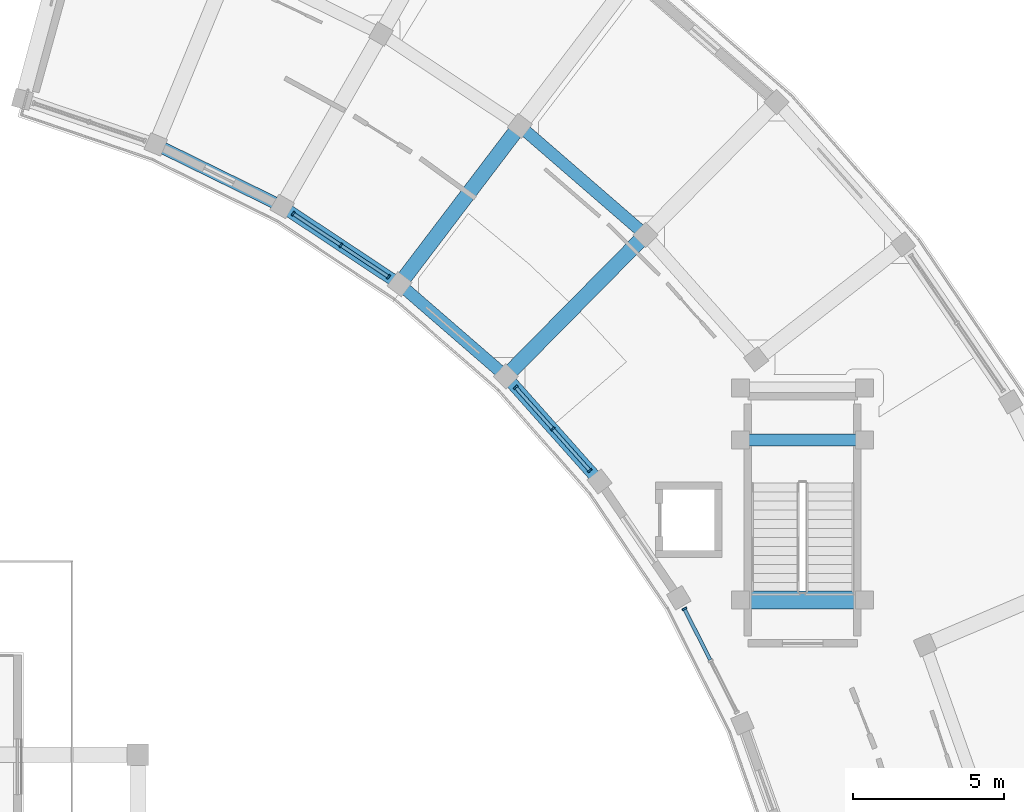
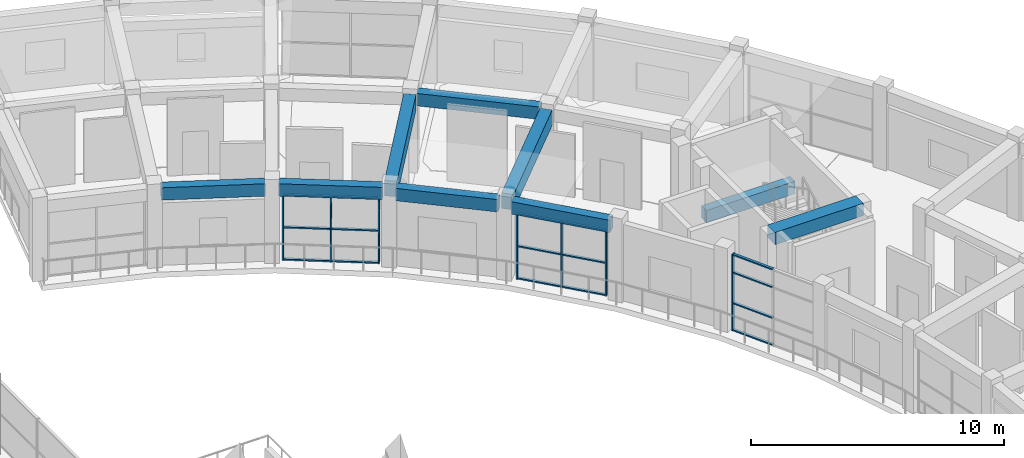
# One storey, part 25 of 53: 23 members, 9 beams, 3 elements without a shape of their own.
"""IFC4 building model written with IfcOpenShell, lengths in metres."""

from ifc_helpers import new_model, si_unit, direction, frame, origin, origin_2d, place, context, subcontext, project, spatial, rectangle, extrude, material, material_profile, profile_set, type_object, element, aggregate, save


model = new_model("IFC4")

# Units and contexts
model_context = context("Model", 3, precision=1e-05, world=origin(), true_north=direction((0.0, 1.0)))
body_context = subcontext(model_context, "Body", "Model", "MODEL_VIEW")
ifc_project = project(units=[si_unit("LENGTHUNIT", "METRE"), si_unit("AREAUNIT", "SQUARE_METRE"), si_unit("VOLUMEUNIT", "CUBIC_METRE"), si_unit("PLANEANGLEUNIT", "RADIAN"), si_unit("MASSUNIT", "GRAM", prefix="KILO")], contexts=[model_context])

# Site, building, storey
site_placement = place(None, origin())
site = spatial("IfcSite", under=ifc_project, at=site_placement, CompositionType="ELEMENT")
building_placement = place(site_placement, origin())
building = spatial("IfcBuilding", under=site, at=building_placement, Name="Saryqyr Civic Hall", CompositionType="ELEMENT")
storey_placement = place(building_placement, frame((0.0, 0.0, 21.300048828125)))
storey = spatial("IfcBuildingStorey", under=building, at=storey_placement, Name="L05", CompositionType="ELEMENT", Elevation=21.300048828125)

# Curtain wall, member
ifc_material_1 = material(Name="Anodised aluminium and triple low-E glass", Category="aluminium")
curtain_wall_type_1 = type_object("IfcCurtainWallType", Name="ENV-CW-STD-48", PredefinedType="NOTDEFINED", material=ifc_material_1)
curtain_wall_1_placement = place(storey_placement, origin())
curtain_wall_1 = element("IfcCurtainWall", 1, at=curtain_wall_1_placement, inside=storey, type_object=curtain_wall_type_1, Name="Curtain wall V6-CWI-L05-03", PredefinedType="NOTDEFINED")
ifc_material_2 = material(Name="Anodised aluminium", Category="aluminium")
ifc_material_profile_1 = material_profile(ifc_material_2, rectangle(XDim=0.06005859375, YDim=0.159912109375, at=origin_2d()), Name="ALU MULLION 60x160")
ifc_profile_set_1 = profile_set([ifc_material_profile_1], Name="Anodised aluminium")
member_type_1 = type_object("IfcMemberType", Name="ENV-CW-MUL-180", PredefinedType="MULLION", material=ifc_profile_set_1)
member_1_placement = place(storey_placement, frame((88.354248046875, 102.044189453125, 0.0), z_axis=(0.0, 0.0, 1.0), x_axis=(-0.451909750219, 0.892063662334, 0.0)))
member_1 = element("IfcMember", 2, at=member_1_placement, type_object=member_type_1, Name="CW-48 mullion 3", PredefinedType="MULLION", context=body_context, shape_type="SweptSolid", body=[
    extrude(rectangle(XDim=0.06005859375, YDim=0.159912109375, at=origin_2d()), origin(), (0.0, 0.0, 1.0), 3.699951171875),
])

# Curtain wall, members
curtain_wall_type_2 = type_object("IfcCurtainWallType", Name="ENV-CW-STD-27", PredefinedType="NOTDEFINED", material=ifc_material_1)
curtain_wall_2_placement = place(storey_placement, origin())
curtain_wall_2 = element("IfcCurtainWall", 3, at=curtain_wall_2_placement, inside=storey, type_object=curtain_wall_type_2, Name="Curtain wall V6-CWI-L05-05", PredefinedType="NOTDEFINED")
member_2_placement = place(storey_placement, frame((85.213134765625, 106.636962890625, 0.0), z_axis=(0.0, 0.0, 1.0), x_axis=(-0.664934070862, 0.7469020561, 0.0)))
member_2 = element("IfcMember", 4, at=member_2_placement, type_object=member_type_1, Name="CW-27 mullion 1", PredefinedType="MULLION", context=body_context, shape_type="SweptSolid", body=[
    extrude(rectangle(XDim=0.06005859375, YDim=0.159912109375, at=origin_2d()), origin(), (0.0, 0.0, 1.0), 3.1650390625),
])
member_3_placement = place(storey_placement, frame((83.981201171875, 108.0205078125, 0.0), z_axis=(0.0, 0.0, 1.0), x_axis=(-0.664934070862, 0.7469020561, 0.0)))
member_3 = element("IfcMember", 5, at=member_3_placement, type_object=member_type_1, Name="CW-27 mullion 2", PredefinedType="MULLION", context=body_context, shape_type="SweptSolid", body=[
    extrude(rectangle(XDim=0.06005859375, YDim=0.159912109375, at=origin_2d()), origin(), (0.0, 0.0, 1.0), 3.1650390625),
])
member_4_placement = place(storey_placement, frame((82.74951171875, 109.404052734375, 0.0), z_axis=(0.0, 0.0, 1.0), x_axis=(-0.664934070862, 0.7469020561, 0.0)))
member_4 = element("IfcMember", 6, at=member_4_placement, type_object=member_type_1, Name="CW-27 mullion 3", PredefinedType="MULLION", context=body_context, shape_type="SweptSolid", body=[
    extrude(rectangle(XDim=0.06005859375, YDim=0.159912109375, at=origin_2d()), origin(), (0.0, 0.0, 1.0), 3.1650390625),
])

curtain_wall_type_3 = type_object("IfcCurtainWallType", Name="ENV-CW-STD-25", PredefinedType="NOTDEFINED", material=ifc_material_1)
curtain_wall_3_placement = place(storey_placement, origin())
curtain_wall_3 = element("IfcCurtainWall", 7, at=curtain_wall_3_placement, inside=storey, type_object=curtain_wall_type_3, Name="Curtain wall V6-CWI-L05-07", PredefinedType="NOTDEFINED")
member_5_placement = place(storey_placement, frame((78.529052734375, 113.0703125, 0.0), z_axis=(0.0, 0.0, 1.0), x_axis=(-0.833756291383, 0.552132634953, 0.0)))
member_5 = element("IfcMember", 8, at=member_5_placement, type_object=member_type_1, Name="CW-25 mullion 1", PredefinedType="MULLION", context=body_context, shape_type="SweptSolid", body=[
    extrude(rectangle(XDim=0.06005859375, YDim=0.159912109375, at=origin_2d()), origin(), (0.0, 0.0, 1.0), 3.1650390625),
])
member_6_placement = place(storey_placement, frame((76.945068359375, 114.119384765625, 0.0), z_axis=(0.0, 0.0, 1.0), x_axis=(-0.833756291383, 0.552132634953, 0.0)))
member_6 = element("IfcMember", 9, at=member_6_placement, type_object=member_type_1, Name="CW-25 mullion 2", PredefinedType="MULLION", context=body_context, shape_type="SweptSolid", body=[
    extrude(rectangle(XDim=0.06005859375, YDim=0.159912109375, at=origin_2d()), origin(), (0.0, 0.0, 1.0), 3.1650390625),
])
member_7_placement = place(storey_placement, frame((75.36083984375, 115.16845703125, 0.0), z_axis=(0.0, 0.0, 1.0), x_axis=(-0.833756291383, 0.552132634953, 0.0)))
member_7 = element("IfcMember", 10, at=member_7_placement, type_object=member_type_1, Name="CW-25 mullion 3", PredefinedType="MULLION", context=body_context, shape_type="SweptSolid", body=[
    extrude(rectangle(XDim=0.06005859375, YDim=0.159912109375, at=origin_2d()), origin(), (0.0, 0.0, 1.0), 3.1650390625),
])

# Member
ifc_material_profile_2 = material_profile(ifc_material_2, rectangle(XDim=0.1201171875, YDim=0.06005859375, at=origin_2d()), Name="ALU TRANSOM 120x60")
ifc_profile_set_2 = profile_set([ifc_material_profile_2], Name="Anodised aluminium")
member_type_2 = type_object("IfcMemberType", Name="ENV-CW-TRN-150", PredefinedType="USERDEFINED", material=ifc_profile_set_2)
member_8_placement = place(storey_placement, frame((89.21142578125, 100.3525390625, 0.030029296875), z_axis=(-0.451916221053, 0.89206038425, 0.0), x_axis=(-0.89206038425, -0.451916221053, 0.0)))
member_8 = element("IfcMember", 11, at=member_8_placement, type_object=member_type_2, Name="CW-48 transom 2.1", ObjectType="TRANSOM", PredefinedType="USERDEFINED", context=body_context, shape_type="SweptSolid", body=[
    extrude(rectangle(XDim=0.1201171875, YDim=0.06005859375, at=origin_2d()), origin(), (0.0, 0.0, 1.0), 1.866455078125),
])

member_9_placement = place(storey_placement, frame((89.21142578125, 100.3525390625, 1.33203125), z_axis=(-0.451916221053, 0.89206038425, 0.0), x_axis=(-0.89206038425, -0.451916221053, 0.0)))
member_9 = element("IfcMember", 12, at=member_9_placement, type_object=member_type_2, Name="CW-48 transom 2.2", ObjectType="TRANSOM", PredefinedType="USERDEFINED", context=body_context, shape_type="SweptSolid", body=[
    extrude(rectangle(XDim=0.1201171875, YDim=0.06005859375, at=origin_2d()), origin(), (0.0, 0.0, 1.0), 1.866455078125),
])

member_10_placement = place(storey_placement, frame((89.21142578125, 100.3525390625, 2.81201171875), z_axis=(-0.451916221053, 0.89206038425, 0.0), x_axis=(-0.89206038425, -0.451916221053, 0.0)))
member_10 = element("IfcMember", 13, at=member_10_placement, type_object=member_type_2, Name="CW-48 transom 2.3", ObjectType="TRANSOM", PredefinedType="USERDEFINED", context=body_context, shape_type="SweptSolid", body=[
    extrude(rectangle(XDim=0.1201171875, YDim=0.06005859375, at=origin_2d()), origin(), (0.0, 0.0, 1.0), 1.866455078125),
])

member_11_placement = place(storey_placement, frame((89.21142578125, 100.3525390625, 3.669921875), z_axis=(-0.451916221053, 0.89206038425, 0.0), x_axis=(-0.89206038425, -0.451916221053, 0.0)))
member_11 = element("IfcMember", 14, at=member_11_placement, type_object=member_type_2, Name="CW-48 transom 2.4", ObjectType="TRANSOM", PredefinedType="USERDEFINED", context=body_context, shape_type="SweptSolid", body=[
    extrude(rectangle(XDim=0.1201171875, YDim=0.06005859375, at=origin_2d()), origin(), (0.0, 0.0, 1.0), 1.866455078125),
])

aggregate(curtain_wall_1, [member_1, member_8, member_9, member_10, member_11])

member_12_placement = place(storey_placement, frame((85.193115234375, 106.659423828125, 0.030029296875), z_axis=(-0.664989244005, 0.746852934223, 0.0), x_axis=(-0.746852934223, -0.664989244005, 0.0)))
member_12 = element("IfcMember", 15, at=member_12_placement, type_object=member_type_2, Name="CW-27 transom 1.1", ObjectType="TRANSOM", PredefinedType="USERDEFINED", context=body_context, shape_type="SweptSolid", body=[
    extrude(rectangle(XDim=0.1201171875, YDim=0.06005859375, at=origin_2d()), origin(), (0.0, 0.0, 1.0), 1.792236328125),
])

member_13_placement = place(storey_placement, frame((85.193115234375, 106.659423828125, 1.5830078125), z_axis=(-0.664989244005, 0.746852934223, 0.0), x_axis=(-0.746852934223, -0.664989244005, 0.0)))
member_13 = element("IfcMember", 16, at=member_13_placement, type_object=member_type_2, Name="CW-27 transom 1.2", ObjectType="TRANSOM", PredefinedType="USERDEFINED", context=body_context, shape_type="SweptSolid", body=[
    extrude(rectangle(XDim=0.1201171875, YDim=0.06005859375, at=origin_2d()), origin(), (0.0, 0.0, 1.0), 1.792236328125),
])

member_14_placement = place(storey_placement, frame((85.193115234375, 106.659423828125, 3.135009765625), z_axis=(-0.664989244005, 0.746852934223, 0.0), x_axis=(-0.746852934223, -0.664989244005, 0.0)))
member_14 = element("IfcMember", 17, at=member_14_placement, type_object=member_type_2, Name="CW-27 transom 1.3", ObjectType="TRANSOM", PredefinedType="USERDEFINED", context=body_context, shape_type="SweptSolid", body=[
    extrude(rectangle(XDim=0.1201171875, YDim=0.06005859375, at=origin_2d()), origin(), (0.0, 0.0, 1.0), 1.792236328125),
])

member_15_placement = place(storey_placement, frame((83.96142578125, 108.04296875, 0.030029296875), z_axis=(-0.664989244005, 0.746852934223, 0.0), x_axis=(-0.746852934223, -0.664989244005, 0.0)))
member_15 = element("IfcMember", 18, at=member_15_placement, type_object=member_type_2, Name="CW-27 transom 2.1", ObjectType="TRANSOM", PredefinedType="USERDEFINED", context=body_context, shape_type="SweptSolid", body=[
    extrude(rectangle(XDim=0.1201171875, YDim=0.06005859375, at=origin_2d()), origin(), (0.0, 0.0, 1.0), 1.792236328125),
])

member_16_placement = place(storey_placement, frame((83.96142578125, 108.04296875, 1.5830078125), z_axis=(-0.664989244005, 0.746852934223, 0.0), x_axis=(-0.746852934223, -0.664989244005, 0.0)))
member_16 = element("IfcMember", 19, at=member_16_placement, type_object=member_type_2, Name="CW-27 transom 2.2", ObjectType="TRANSOM", PredefinedType="USERDEFINED", context=body_context, shape_type="SweptSolid", body=[
    extrude(rectangle(XDim=0.1201171875, YDim=0.06005859375, at=origin_2d()), origin(), (0.0, 0.0, 1.0), 1.792236328125),
])

member_17_placement = place(storey_placement, frame((83.96142578125, 108.04296875, 3.135009765625), z_axis=(-0.664989244005, 0.746852934223, 0.0), x_axis=(-0.746852934223, -0.664989244005, 0.0)))
member_17 = element("IfcMember", 20, at=member_17_placement, type_object=member_type_2, Name="CW-27 transom 2.3", ObjectType="TRANSOM", PredefinedType="USERDEFINED", context=body_context, shape_type="SweptSolid", body=[
    extrude(rectangle(XDim=0.1201171875, YDim=0.06005859375, at=origin_2d()), origin(), (0.0, 0.0, 1.0), 1.792236328125),
])

aggregate(curtain_wall_2, [member_2, member_3, member_4, member_12, member_13, member_14, member_15, member_16, member_17])

member_18_placement = place(storey_placement, frame((78.50390625, 113.0869140625, 0.030029296875), z_axis=(-0.833740862304, 0.552155933161, 0.0), x_axis=(-0.552155933161, -0.833740862304, 0.0)))
member_18 = element("IfcMember", 21, at=member_18_placement, type_object=member_type_2, Name="CW-25 transom 1.1", ObjectType="TRANSOM", PredefinedType="USERDEFINED", context=body_context, shape_type="SweptSolid", body=[
    extrude(rectangle(XDim=0.1201171875, YDim=0.06005859375, at=origin_2d()), origin(), (0.0, 0.0, 1.0), 1.83984375),
])

member_19_placement = place(storey_placement, frame((78.50390625, 113.0869140625, 1.5830078125), z_axis=(-0.833740862304, 0.552155933161, 0.0), x_axis=(-0.552155933161, -0.833740862304, 0.0)))
member_19 = element("IfcMember", 22, at=member_19_placement, type_object=member_type_2, Name="CW-25 transom 1.2", ObjectType="TRANSOM", PredefinedType="USERDEFINED", context=body_context, shape_type="SweptSolid", body=[
    extrude(rectangle(XDim=0.1201171875, YDim=0.06005859375, at=origin_2d()), origin(), (0.0, 0.0, 1.0), 1.83984375),
])

member_20_placement = place(storey_placement, frame((78.50390625, 113.0869140625, 3.135009765625), z_axis=(-0.833740862304, 0.552155933161, 0.0), x_axis=(-0.552155933161, -0.833740862304, 0.0)))
member_20 = element("IfcMember", 23, at=member_20_placement, type_object=member_type_2, Name="CW-25 transom 1.3", ObjectType="TRANSOM", PredefinedType="USERDEFINED", context=body_context, shape_type="SweptSolid", body=[
    extrude(rectangle(XDim=0.1201171875, YDim=0.06005859375, at=origin_2d()), origin(), (0.0, 0.0, 1.0), 1.83984375),
])

member_21_placement = place(storey_placement, frame((76.919921875, 114.135986328125, 0.030029296875), z_axis=(-0.833740862304, 0.552155933161, 0.0), x_axis=(-0.552155933161, -0.833740862304, 0.0)))
member_21 = element("IfcMember", 24, at=member_21_placement, type_object=member_type_2, Name="CW-25 transom 2.1", ObjectType="TRANSOM", PredefinedType="USERDEFINED", context=body_context, shape_type="SweptSolid", body=[
    extrude(rectangle(XDim=0.1201171875, YDim=0.06005859375, at=origin_2d()), origin(), (0.0, 0.0, 1.0), 1.83984375),
])

member_22_placement = place(storey_placement, frame((76.919921875, 114.135986328125, 1.5830078125), z_axis=(-0.833740862304, 0.552155933161, 0.0), x_axis=(-0.552155933161, -0.833740862304, 0.0)))
member_22 = element("IfcMember", 25, at=member_22_placement, type_object=member_type_2, Name="CW-25 transom 2.2", ObjectType="TRANSOM", PredefinedType="USERDEFINED", context=body_context, shape_type="SweptSolid", body=[
    extrude(rectangle(XDim=0.1201171875, YDim=0.06005859375, at=origin_2d()), origin(), (0.0, 0.0, 1.0), 1.83984375),
])

member_23_placement = place(storey_placement, frame((76.919921875, 114.135986328125, 3.135009765625), z_axis=(-0.833740862304, 0.552155933161, 0.0), x_axis=(-0.552155933161, -0.833740862304, 0.0)))
member_23 = element("IfcMember", 26, at=member_23_placement, type_object=member_type_2, Name="CW-25 transom 2.3", ObjectType="TRANSOM", PredefinedType="USERDEFINED", context=body_context, shape_type="SweptSolid", body=[
    extrude(rectangle(XDim=0.1201171875, YDim=0.06005859375, at=origin_2d()), origin(), (0.0, 0.0, 1.0), 1.83984375),
])

aggregate(curtain_wall_3, [member_5, member_6, member_7, member_18, member_19, member_20, member_21, member_22, member_23])

# Beams
ifc_material_3 = material(Name="Concrete C35/45", Category="concrete")
ifc_material_profile_3 = material_profile(ifc_material_3, rectangle(XDim=0.39990234375, YDim=0.60009765625, at=origin_2d()), Name="RC 400x600")
ifc_profile_set_3 = profile_set([ifc_material_profile_3], Name="Concrete C35/45")
beam_type_1 = type_object("IfcBeamType", Name="STR-BM-RC400x600", PredefinedType="BEAM", material=ifc_profile_set_3)
beam_1_placement = place(storey_placement, frame((86.85498046875, 114.644287109375, 3.489990234375), z_axis=(-0.755658334576, 0.654966015443, 0.0), x_axis=(-0.654966015443, -0.755658334576, 0.0)))
element("IfcBeam", 27, at=beam_1_placement, inside=storey, type_object=beam_type_1, Name="Beam V6-CBM-MID06-L05", PredefinedType="BEAM", context=body_context, shape_type="SweptSolid", body=[
    extrude(rectangle(XDim=0.39990234375, YDim=0.60009765625, at=origin_2d()), origin(), (0.0, 0.0, 1.0), 4.977783203125),
])
beam_2_placement = place(storey_placement, frame((94.300048828125, 107.64990234375, 1.52490234375), z_axis=(-1.0, 0.0, 0.0), x_axis=(0.0, -1.0, 0.0)))
element("IfcBeam", 28, at=beam_2_placement, inside=storey, type_object=beam_type_1, Name="Stair half-landing support beam ST-6-LND1-L05", PredefinedType="BEAM", context=body_context, shape_type="SweptSolid", body=[
    extrude(rectangle(XDim=0.39990234375, YDim=0.60009765625, at=origin_2d()), origin(), (0.0, 0.0, 1.0), 4.0400390625),
])
ifc_material_profile_4 = material_profile(ifc_material_3, rectangle(XDim=0.39990234375, YDim=0.60009765625, at=origin_2d()), Name="RC 400x600")
ifc_profile_set_4 = profile_set([ifc_material_profile_4], Name="Concrete C35/45")
beam_type_2 = type_object("IfcBeamType", Name="STR-BM-RC400x600-EXT", PredefinedType="BEAM", material=ifc_profile_set_4)
beam_3_placement = place(storey_placement, frame((85.352783203125, 106.47998046875, 3.489990234375), z_axis=(-0.664933037621, 0.746902975948, 0.0), x_axis=(-0.746902975948, -0.664933037621, 0.0)))
element("IfcBeam", 29, at=beam_3_placement, inside=storey, type_object=beam_type_2, Name="Beam V6-CBM-IN05-L05", PredefinedType="BEAM", context=body_context, shape_type="SweptSolid", body=[
    extrude(rectangle(XDim=0.39990234375, YDim=0.60009765625, at=origin_2d()), origin(), (0.0, 0.0, 1.0), 4.125),
])
beam_4_placement = place(storey_placement, frame((82.218994140625, 109.946533203125, 3.489990234375), z_axis=(-0.755618782617, 0.655011645207, 0.0), x_axis=(-0.655011645207, -0.755618782617, 0.0)))
element("IfcBeam", 30, at=beam_4_placement, inside=storey, type_object=beam_type_2, Name="Beam V6-CBM-IN06-L05", PredefinedType="BEAM", context=body_context, shape_type="SweptSolid", body=[
    extrude(rectangle(XDim=0.39990234375, YDim=0.60009765625, at=origin_2d()), origin(), (0.0, 0.0, 1.0), 4.125244140625),
])
beam_5_placement = place(storey_placement, frame((78.664794921875, 112.98046875, 3.489990234375), z_axis=(-0.833757941264, 0.552130143516, 0.0), x_axis=(-0.552130143516, -0.833757941264, 0.0)))
element("IfcBeam", 31, at=beam_5_placement, inside=storey, type_object=beam_type_2, Name="Beam V6-CBM-IN07-L05", PredefinedType="BEAM", context=body_context, shape_type="SweptSolid", body=[
    extrude(rectangle(XDim=0.39990234375, YDim=0.60009765625, at=origin_2d()), origin(), (0.0, 0.0, 1.0), 4.12548828125),
])
beam_6_placement = place(storey_placement, frame((74.7490234375, 115.531005859375, 3.489990234375), z_axis=(-0.897961536886, 0.440073946371, 0.0), x_axis=(-0.440073946371, -0.897961536886, 0.0)))
element("IfcBeam", 32, at=beam_6_placement, inside=storey, type_object=beam_type_2, Name="Beam V6-CBM-IN08-L05", PredefinedType="BEAM", context=body_context, shape_type="SweptSolid", body=[
    extrude(rectangle(XDim=0.39990234375, YDim=0.60009765625, at=origin_2d()), origin(), (0.0, 0.0, 1.0), 4.125244140625),
])
ifc_material_4 = material(Name="Concrete C40/50", Category="concrete")
ifc_material_profile_5 = material_profile(ifc_material_4, rectangle(XDim=0.5, YDim=0.75, at=origin_2d()), Name="RC 500x750")
ifc_profile_set_5 = profile_set([ifc_material_profile_5], Name="Concrete C40/50")
beam_type_3 = type_object("IfcBeamType", Name="STR-BM-RC500x750", PredefinedType="BEAM", material=ifc_profile_set_5)
for number, where, z_axis, x_axis, name in (
    (33, (82.6201171875, 109.962158203125, 3.4150390625), (0.702389990829, 0.711792315766, 0.0), (-0.711792315766, 0.702389990829, 0.0), "Beam V6-RBM-A06-L05"),
    (34, (79.060302734375, 113.047607421875, 3.4150390625), (0.60481209734, 0.796368210636, 0.0), (-0.796368210636, 0.60481209734, 0.0), "Beam V6-RBM-A07-L05"),
):
    element("IfcBeam", number, at=place(storey_placement, frame(where, z_axis=z_axis, x_axis=x_axis)), inside=storey, type_object=beam_type_3, Name=name, PredefinedType="BEAM", context=body_context, shape_type="SweptSolid", body=[
        extrude(rectangle(XDim=0.5, YDim=0.75, at=origin_2d()), origin(), (0.0, 0.0, 1.0), 6.050048828125),
    ])
ifc_material_profile_6 = material_profile(ifc_material_4, rectangle(XDim=0.60009765625, YDim=0.60009765625, at=origin_2d()), Name="RC 600x600")
ifc_profile_set_6 = profile_set([ifc_material_profile_6], Name="Concrete C40/50")
beam_type_4 = type_object("IfcBeamType", Name="STR-BM-RC600x600", PredefinedType="BEAM", material=ifc_profile_set_6)
beam_7_placement = place(storey_placement, frame((94.300048828125, 102.3349609375, 3.75), z_axis=(-1.0, 0.0, 0.0), x_axis=(0.0, -1.0, 0.0)))
element("IfcBeam", 35, at=beam_7_placement, inside=storey, type_object=beam_type_4, Name="Stair well trimmer beam ST-6-L06", PredefinedType="BEAM", context=body_context, shape_type="SweptSolid", body=[
    extrude(rectangle(XDim=0.60009765625, YDim=0.60009765625, at=origin_2d()), origin(), (0.0, 0.0, 1.0), 4.0400390625),
])

save(model, "model.ifc")
